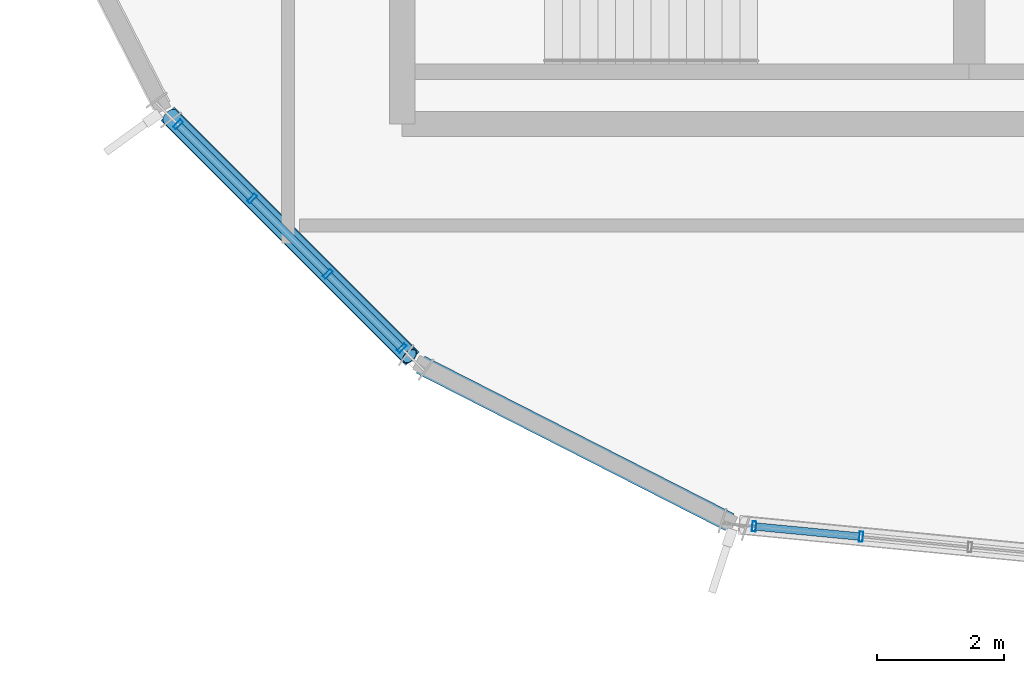
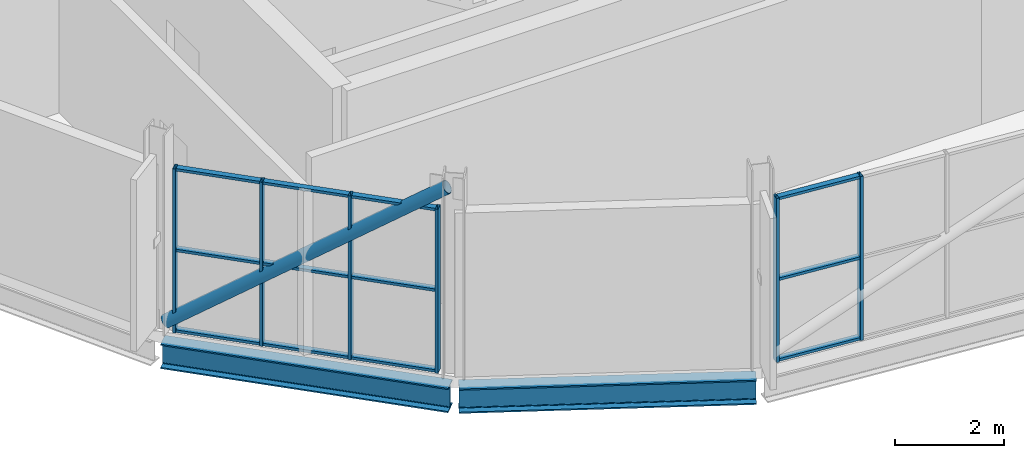
# One storey, part 2 of 22: 19 members, 2 beams, 2 elements without a shape of their own.
"""IFC4 building model written with IfcOpenShell, lengths in metres."""

from ifc_helpers import new_model, si_unit, direction, frame, origin, origin_2d, place, context, subcontext, project, spatial, hollow_rectangle, hollow_circle, i_section, extrude, material, layer, layer_set, material_profile, profile_set, type_object, element, aggregate, save


model = new_model("IFC4")

# Units and contexts
model_context = context("Model", 3, precision=1e-05, world=origin(), true_north=direction((0.0, 1.0)))
body_context = subcontext(model_context, "Body", "Model", "MODEL_VIEW")
ifc_project = project(units=[si_unit("LENGTHUNIT", "METRE"), si_unit("AREAUNIT", "SQUARE_METRE"), si_unit("VOLUMEUNIT", "CUBIC_METRE"), si_unit("PLANEANGLEUNIT", "RADIAN"), si_unit("MASSUNIT", "GRAM", prefix="KILO")], contexts=[model_context])

# Site, building, storey
site_placement = place(None, origin())
site = spatial("IfcSite", under=ifc_project, at=site_placement, CompositionType="ELEMENT")
building_placement = place(site_placement, origin())
building = spatial("IfcBuilding", under=site, at=building_placement, Name="Solnavia Interchange Tower", CompositionType="ELEMENT")
storey_placement = place(building_placement, frame((0.0, 0.0, 317.699951171875)))
storey = spatial("IfcBuildingStorey", under=building, at=storey_placement, Name="C04", CompositionType="ELEMENT", Elevation=317.699951171875)

# Curtain wall, members
ifc_material_1 = material(Name="Aluminium Alloy 6063-T6", Category="aluminium")
ifc_layer = layer(ifc_material_1, 0.179931640625)
ifc_layer_set = layer_set([ifc_layer], Name="Aluminium Alloy 6063-T6")
curtain_wall_type = type_object("IfcCurtainWallType", Name="CurtainWall-Crown-CTW6", PredefinedType="NOTDEFINED", material=ifc_layer_set)
curtain_wall_1_placement = place(storey_placement, origin())
curtain_wall_1 = element("IfcCurtainWall", 1, at=curtain_wall_1_placement, inside=storey, type_object=curtain_wall_type, Name="CTW-C04-R11 CTW-6 curtain wall", PredefinedType="NOTDEFINED")
ifc_material_profile_1 = material_profile(ifc_material_1, hollow_rectangle(XDim=0.06005859375, YDim=0.159912109375, WallThickness=0.00390625, at=origin_2d()), Name="ALU 160x60x4")
ifc_profile_set_1 = profile_set([ifc_material_profile_1], Name="Aluminium Alloy 6063-T6")
member_type_1 = type_object("IfcMemberType", Name="CW-Mullion-CWM-6", PredefinedType="MULLION", material=ifc_profile_set_1)
member_1_placement = place(storey_placement, frame((10.86328125, 10.794677734375, 0.0), z_axis=(0.0, 0.0, 1.0), x_axis=(0.707106781187, -0.707106781187, 0.0)))
member_1 = element("IfcMember", 2, at=member_1_placement, type_object=member_type_1, Name="CTW-6 mullion 1", PredefinedType="MULLION", context=body_context, shape_type="SweptSolid", body=[
    extrude(hollow_rectangle(XDim=0.06005859375, YDim=0.159912109375, WallThickness=0.00390625, at=origin_2d()), origin(), (0.0, 0.0, 1.0), 3.679931640625),
])
member_2_placement = place(storey_placement, frame((12.033447265625, 9.624755859375, 0.0), z_axis=(0.0, 0.0, 1.0), x_axis=(0.707106781187, -0.707106781187, 0.0)))
member_2 = element("IfcMember", 3, at=member_2_placement, type_object=member_type_1, Name="CTW-6 mullion 2", PredefinedType="MULLION", context=body_context, shape_type="SweptSolid", body=[
    extrude(hollow_rectangle(XDim=0.06005859375, YDim=0.159912109375, WallThickness=0.00390625, at=origin_2d()), origin(), (0.0, 0.0, 1.0), 3.679931640625),
])
member_3_placement = place(storey_placement, frame((13.224609375, 8.433349609375, 0.0), z_axis=(0.0, 0.0, 1.0), x_axis=(0.707106781187, -0.707106781187, 0.0)))
member_3 = element("IfcMember", 4, at=member_3_placement, type_object=member_type_1, Name="CTW-6 mullion 3", PredefinedType="MULLION", context=body_context, shape_type="SweptSolid", body=[
    extrude(hollow_rectangle(XDim=0.06005859375, YDim=0.159912109375, WallThickness=0.00390625, at=origin_2d()), origin(), (0.0, 0.0, 1.0), 3.679931640625),
])
member_4_placement = place(storey_placement, frame((14.394775390625, 7.26318359375, 0.0), z_axis=(0.0, 0.0, 1.0), x_axis=(0.707106781187, -0.707106781187, 0.0)))
member_4 = element("IfcMember", 5, at=member_4_placement, type_object=member_type_1, Name="CTW-6 mullion 4", PredefinedType="MULLION", context=body_context, shape_type="SweptSolid", body=[
    extrude(hollow_rectangle(XDim=0.06005859375, YDim=0.159912109375, WallThickness=0.00390625, at=origin_2d()), origin(), (0.0, 0.0, 1.0), 3.679931640625),
])

curtain_wall_2_placement = place(storey_placement, origin())
curtain_wall_2 = element("IfcCurtainWall", 6, at=curtain_wall_2_placement, inside=storey, type_object=curtain_wall_type, Name="CTW-C04-R13 CTW-6 curtain wall", PredefinedType="NOTDEFINED")
member_5_placement = place(storey_placement, frame((19.955078125, 4.450439453125, 0.0), z_axis=(0.0, 0.0, 1.0), x_axis=(0.995408264531, -0.095720357833, 0.0)))
member_5 = element("IfcMember", 7, at=member_5_placement, type_object=member_type_1, Name="CTW-6 mullion 1", PredefinedType="MULLION", context=body_context, shape_type="SweptSolid", body=[
    extrude(hollow_rectangle(XDim=0.06005859375, YDim=0.159912109375, WallThickness=0.00390625, at=origin_2d()), origin(), (0.0, 0.0, 1.0), 3.679931640625),
])
member_6_placement = place(storey_placement, frame((21.642822265625, 4.288330078125, 0.0), z_axis=(0.0, 0.0, 1.0), x_axis=(0.995408264531, -0.095720357833, 0.0)))
member_6 = element("IfcMember", 8, at=member_6_placement, type_object=member_type_1, Name="CTW-6 mullion 2", PredefinedType="MULLION", context=body_context, shape_type="SweptSolid", body=[
    extrude(hollow_rectangle(XDim=0.06005859375, YDim=0.159912109375, WallThickness=0.00390625, at=origin_2d()), origin(), (0.0, 0.0, 1.0), 3.679931640625),
])

# Member
ifc_material_profile_2 = material_profile(ifc_material_1, hollow_rectangle(XDim=0.06005859375, YDim=0.1201171875, WallThickness=0.00390625, at=origin_2d()), Name="ALU 120x60x4")
ifc_profile_set_2 = profile_set([ifc_material_profile_2], Name="Aluminium Alloy 6063-T6")
member_type_2 = type_object("IfcMemberType", Name="CW-Transom-CWT-6", PredefinedType="USERDEFINED", material=ifc_profile_set_2)
member_7_placement = place(storey_placement, frame((10.884521484375, 10.773681640625, 0.030029296875), z_axis=(0.707106781187, -0.707106781187, 0.0), x_axis=(0.0, 0.0, 1.0)))
member_7 = element("IfcMember", 9, at=member_7_placement, type_object=member_type_2, Name="CTW-6 transom 1.1", ObjectType="TRANSOM", PredefinedType="USERDEFINED", context=body_context, shape_type="SweptSolid", body=[
    extrude(hollow_rectangle(XDim=0.06005859375, YDim=0.1201171875, WallThickness=0.00390625, at=origin_2d()), origin(), (0.0, 0.0, 1.0), 1.5947265625),
])

member_8_placement = place(storey_placement, frame((10.884521484375, 10.773681640625, 1.840087890625), z_axis=(0.707106781187, -0.707106781187, 0.0), x_axis=(0.0, 0.0, 1.0)))
member_8 = element("IfcMember", 10, at=member_8_placement, type_object=member_type_2, Name="CTW-6 transom 1.2", ObjectType="TRANSOM", PredefinedType="USERDEFINED", context=body_context, shape_type="SweptSolid", body=[
    extrude(hollow_rectangle(XDim=0.06005859375, YDim=0.1201171875, WallThickness=0.00390625, at=origin_2d()), origin(), (0.0, 0.0, 1.0), 1.5947265625),
])

member_9_placement = place(storey_placement, frame((10.884521484375, 10.773681640625, 3.650146484375), z_axis=(0.707106781187, -0.707106781187, 0.0), x_axis=(0.0, 0.0, 1.0)))
member_9 = element("IfcMember", 11, at=member_9_placement, type_object=member_type_2, Name="CTW-6 transom 1.3", ObjectType="TRANSOM", PredefinedType="USERDEFINED", context=body_context, shape_type="SweptSolid", body=[
    extrude(hollow_rectangle(XDim=0.06005859375, YDim=0.1201171875, WallThickness=0.00390625, at=origin_2d()), origin(), (0.0, 0.0, 1.0), 1.5947265625),
])

member_10_placement = place(storey_placement, frame((12.054443359375, 9.603515625, 0.030029296875), z_axis=(0.707106781187, -0.707106781187, 0.0), x_axis=(0.0, 0.0, 1.0)))
member_10 = element("IfcMember", 12, at=member_10_placement, type_object=member_type_2, Name="CTW-6 transom 2.1", ObjectType="TRANSOM", PredefinedType="USERDEFINED", context=body_context, shape_type="SweptSolid", body=[
    extrude(hollow_rectangle(XDim=0.06005859375, YDim=0.1201171875, WallThickness=0.00390625, at=origin_2d()), origin(), (0.0, 0.0, 1.0), 1.624755859375),
])

member_11_placement = place(storey_placement, frame((12.054443359375, 9.603515625, 1.840087890625), z_axis=(0.707106781187, -0.707106781187, 0.0), x_axis=(0.0, 0.0, 1.0)))
member_11 = element("IfcMember", 13, at=member_11_placement, type_object=member_type_2, Name="CTW-6 transom 2.2", ObjectType="TRANSOM", PredefinedType="USERDEFINED", context=body_context, shape_type="SweptSolid", body=[
    extrude(hollow_rectangle(XDim=0.06005859375, YDim=0.1201171875, WallThickness=0.00390625, at=origin_2d()), origin(), (0.0, 0.0, 1.0), 1.624755859375),
])

member_12_placement = place(storey_placement, frame((12.054443359375, 9.603515625, 3.650146484375), z_axis=(0.707106781187, -0.707106781187, 0.0), x_axis=(0.0, 0.0, 1.0)))
member_12 = element("IfcMember", 14, at=member_12_placement, type_object=member_type_2, Name="CTW-6 transom 2.3", ObjectType="TRANSOM", PredefinedType="USERDEFINED", context=body_context, shape_type="SweptSolid", body=[
    extrude(hollow_rectangle(XDim=0.06005859375, YDim=0.1201171875, WallThickness=0.00390625, at=origin_2d()), origin(), (0.0, 0.0, 1.0), 1.624755859375),
])

member_13_placement = place(storey_placement, frame((13.245849609375, 8.412109375, 0.030029296875), z_axis=(0.707106781187, -0.707106781187, 0.0), x_axis=(0.0, 0.0, 1.0)))
member_13 = element("IfcMember", 15, at=member_13_placement, type_object=member_type_2, Name="CTW-6 transom 3.1", ObjectType="TRANSOM", PredefinedType="USERDEFINED", context=body_context, shape_type="SweptSolid", body=[
    extrude(hollow_rectangle(XDim=0.06005859375, YDim=0.1201171875, WallThickness=0.00390625, at=origin_2d()), origin(), (0.0, 0.0, 1.0), 1.5947265625),
])

member_14_placement = place(storey_placement, frame((13.245849609375, 8.412109375, 1.840087890625), z_axis=(0.707106781187, -0.707106781187, 0.0), x_axis=(0.0, 0.0, 1.0)))
member_14 = element("IfcMember", 16, at=member_14_placement, type_object=member_type_2, Name="CTW-6 transom 3.2", ObjectType="TRANSOM", PredefinedType="USERDEFINED", context=body_context, shape_type="SweptSolid", body=[
    extrude(hollow_rectangle(XDim=0.06005859375, YDim=0.1201171875, WallThickness=0.00390625, at=origin_2d()), origin(), (0.0, 0.0, 1.0), 1.5947265625),
])

member_15_placement = place(storey_placement, frame((13.245849609375, 8.412109375, 3.650146484375), z_axis=(0.707106781187, -0.707106781187, 0.0), x_axis=(0.0, 0.0, 1.0)))
member_15 = element("IfcMember", 17, at=member_15_placement, type_object=member_type_2, Name="CTW-6 transom 3.3", ObjectType="TRANSOM", PredefinedType="USERDEFINED", context=body_context, shape_type="SweptSolid", body=[
    extrude(hollow_rectangle(XDim=0.06005859375, YDim=0.1201171875, WallThickness=0.00390625, at=origin_2d()), origin(), (0.0, 0.0, 1.0), 1.5947265625),
])

aggregate(curtain_wall_1, [member_1, member_2, member_3, member_4, member_7, member_8, member_9, member_10, member_11, member_12, member_13, member_14, member_15])

member_16_placement = place(storey_placement, frame((19.98486328125, 4.44775390625, 0.030029296875), z_axis=(0.995396986959, -0.095837562332, 0.0), x_axis=(0.0, 0.0, 1.0)))
member_16 = element("IfcMember", 18, at=member_16_placement, type_object=member_type_2, Name="CTW-6 transom 1.1", ObjectType="TRANSOM", PredefinedType="USERDEFINED", context=body_context, shape_type="SweptSolid", body=[
    extrude(hollow_rectangle(XDim=0.06005859375, YDim=0.1201171875, WallThickness=0.00390625, at=origin_2d()), origin(), (0.0, 0.0, 1.0), 1.635498046875),
])

member_17_placement = place(storey_placement, frame((19.98486328125, 4.44775390625, 1.840087890625), z_axis=(0.995396986959, -0.095837562332, 0.0), x_axis=(0.0, 0.0, 1.0)))
member_17 = element("IfcMember", 19, at=member_17_placement, type_object=member_type_2, Name="CTW-6 transom 1.2", ObjectType="TRANSOM", PredefinedType="USERDEFINED", context=body_context, shape_type="SweptSolid", body=[
    extrude(hollow_rectangle(XDim=0.06005859375, YDim=0.1201171875, WallThickness=0.00390625, at=origin_2d()), origin(), (0.0, 0.0, 1.0), 1.635498046875),
])

member_18_placement = place(storey_placement, frame((19.98486328125, 4.44775390625, 3.650146484375), z_axis=(0.995396986959, -0.095837562332, 0.0), x_axis=(0.0, 0.0, 1.0)))
member_18 = element("IfcMember", 20, at=member_18_placement, type_object=member_type_2, Name="CTW-6 transom 1.3", ObjectType="TRANSOM", PredefinedType="USERDEFINED", context=body_context, shape_type="SweptSolid", body=[
    extrude(hollow_rectangle(XDim=0.06005859375, YDim=0.1201171875, WallThickness=0.00390625, at=origin_2d()), origin(), (0.0, 0.0, 1.0), 1.635498046875),
])

aggregate(curtain_wall_2, [member_5, member_6, member_16, member_17, member_18])

ifc_material_2 = material(Name="Steel S355", Category="steel")
ifc_material_profile_3 = material_profile(ifc_material_2, hollow_circle(Radius=0.136474609375, WallThickness=0.012451171875, at=origin_2d()), Name="CHS 273x12.5")
ifc_profile_set_3 = profile_set([ifc_material_profile_3], Name="Steel S355")
member_type_3 = type_object("IfcMemberType", Name="CrownFrame-Brace-CHS273", PredefinedType="BRACE", material=ifc_profile_set_3)
member_19_placement = place(storey_placement, frame((10.737060546875, 10.9208984375, 0.179931640625), z_axis=(0.567372843335, -0.567372843335, 0.596804920633), x_axis=(0.707106781187, 0.707106781187, 0.0)))
element("IfcMember", 21, at=member_19_placement, inside=storey, type_object=member_type_3, Name="BRC-C04-CF11 CROWN FRAME ring brace", PredefinedType="BRACE", context=body_context, shape_type="SweptSolid", body=[
    extrude(hollow_circle(Radius=0.136474609375, WallThickness=0.012451171875, at=origin_2d()), origin(), (0.0, 0.0, 1.0), 6.669189453125),
])

# Beams
ifc_material_3 = material(Name="Steel S460", Category="steel")
ifc_material_profile_4 = material_profile(ifc_material_3, i_section(OverallWidth=0.300048828125, OverallDepth=0.550048828125, WebThickness=0.014892578125, FlangeThickness=0.029052734375, FilletRadius=0.027099609375, at=origin_2d()), Name="HEB 550")
ifc_profile_set_4 = profile_set([ifc_material_profile_4], Name="Steel S460")
beam_type = type_object("IfcBeamType", Name="CrownFrame-Ring-HEB550", PredefinedType="BEAM", material=ifc_profile_set_4)
beam_1_placement = place(storey_placement, frame((10.694580078125, 10.96337890625, -0.52490234375), z_axis=(0.707106781187, -0.707106781187, 0.0), x_axis=(0.707106781187, 0.707106781187, 0.0)))
element("IfcBeam", 22, at=beam_1_placement, inside=storey, type_object=beam_type, Name="GRD-C04-CR11 CROWN FRAME outer collar ring beam", PredefinedType="BEAM", context=body_context, shape_type="SweptSolid", body=[
    extrude(i_section(OverallWidth=0.300048828125, OverallDepth=0.550048828125, WebThickness=0.014892578125, FlangeThickness=0.029052734375, FilletRadius=0.027099609375, at=origin_2d()), origin(), (0.0, 0.0, 1.0), 5.471435546875),
])
beam_2_placement = place(storey_placement, frame((14.69140625, 7.001708984375, -0.52490234375), z_axis=(0.890983307267, -0.454036062634, 0.0), x_axis=(0.454036062634, 0.890983307267, 0.0)))
element("IfcBeam", 23, at=beam_2_placement, inside=storey, type_object=beam_type, Name="GRD-C04-CR12 CROWN FRAME outer collar ring beam", PredefinedType="BEAM", context=body_context, shape_type="SweptSolid", body=[
    extrude(i_section(OverallWidth=0.300048828125, OverallDepth=0.550048828125, WebThickness=0.014892578125, FlangeThickness=0.029052734375, FilletRadius=0.027099609375, at=origin_2d()), origin(), (0.0, 0.0, 1.0), 5.4716796875),
])

save(model, "model.ifc")
